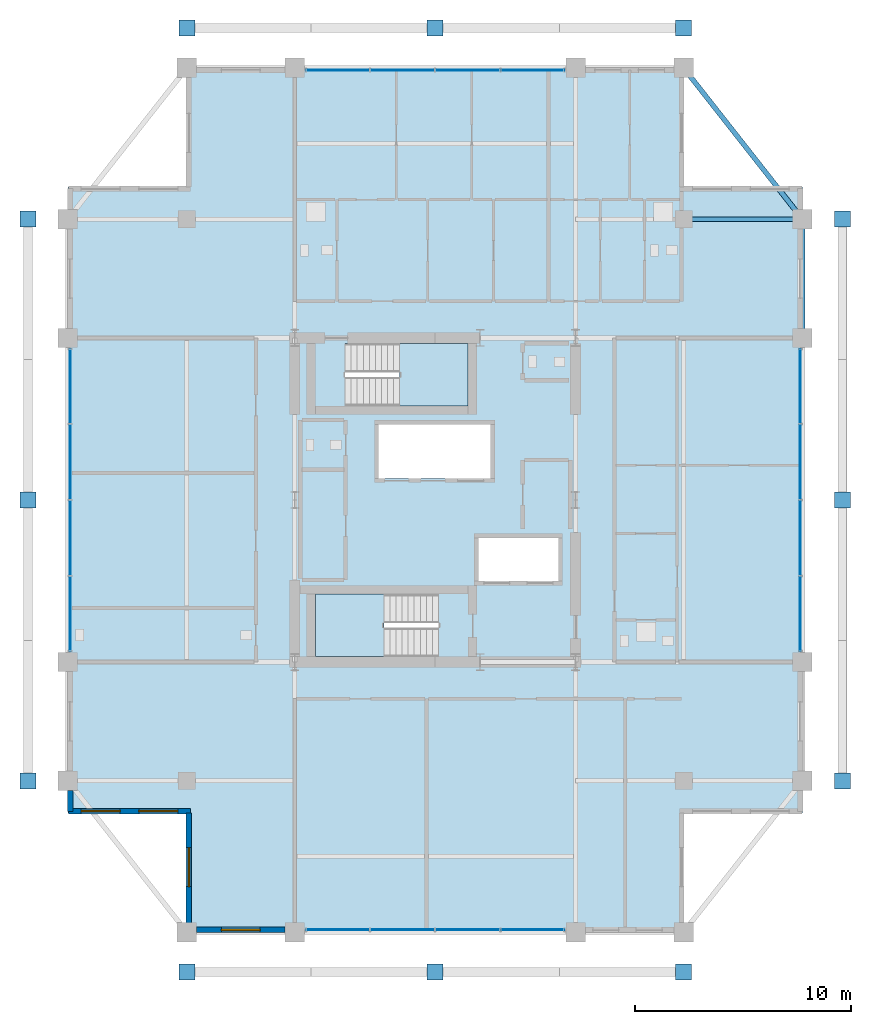
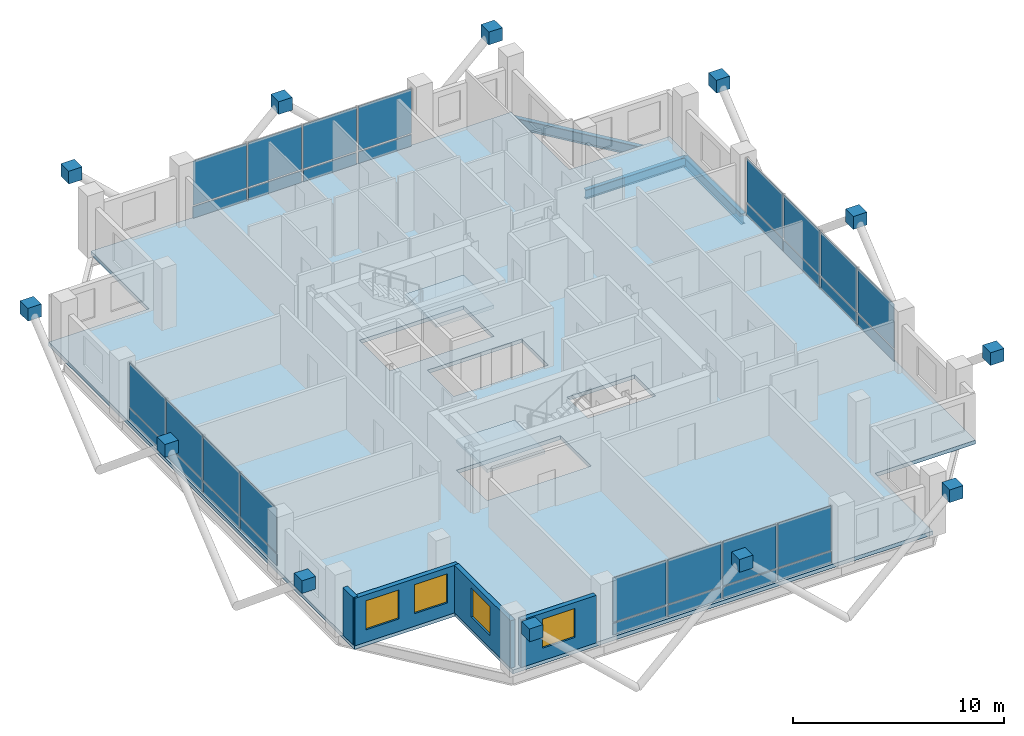
# One storey, part 17 of 23: 44 plates, 4 walls, 4 windows, 3 beams, 3 slabs, 4 openings, 6 elements without a shape of their own.
"""IFC4 building model written with IfcOpenShell, lengths in metres."""

from ifc_helpers import new_model, si_unit, direction, frame, frame_2d, origin, origin_2d, place, context, subcontext, project, spatial, polyline, rectangle, i_section, outline, extrude, material, layer, layer_set, material_profile, profile_set, type_object, element, fill, aggregate, save


model = new_model("IFC4")

# Units and contexts
model_context = context("Model", 3, precision=1e-05, world=origin(), true_north=direction((0.0, 1.0)))
body_context = subcontext(model_context, "Body", "Model", "MODEL_VIEW")
ifc_project = project(units=[si_unit("LENGTHUNIT", "METRE"), si_unit("AREAUNIT", "SQUARE_METRE"), si_unit("VOLUMEUNIT", "CUBIC_METRE"), si_unit("PLANEANGLEUNIT", "RADIAN"), si_unit("MASSUNIT", "GRAM", prefix="KILO")], contexts=[model_context])

# Site, building, storey
site_placement = place(None, origin())
site = spatial("IfcSite", under=ifc_project, at=site_placement, CompositionType="ELEMENT")
building_placement = place(site_placement, origin())
building = spatial("IfcBuilding", under=site, at=building_placement, Name="Barlavira Tower and Art Museum", CompositionType="ELEMENT")
storey_placement = place(building_placement, frame((0.0, 0.0, 279.89990234375)))
storey = spatial("IfcBuildingStorey", under=building, at=storey_placement, Name="L73", CompositionType="ELEMENT", Elevation=279.89990234375)

# Beams
ifc_material_1 = material(Name="Steel S355", Category="steel")
ifc_material_profile_1 = material_profile(ifc_material_1, i_section(OverallWidth=0.22998046875, OverallDepth=0.616943359375, WebThickness=0.01318359375, FlangeThickness=0.022216796875, at=origin_2d()), Name="W610x140.0")
ifc_profile_set_1 = profile_set([ifc_material_profile_1], Name="Steel S355")
beam_type_1 = type_object("IfcBeamType", Name="Upper Shaft Spandrel Edge Beam W610x140 Steel S355", PredefinedType="SPANDREL", material=ifc_profile_set_1)
beam_1_placement = place(storey_placement, frame((17.0, 7.5, -0.5283203125), z_axis=(0.0, 1.0, 0.0), x_axis=(-1.0, 0.0, 0.0)))
element("IfcBeam", 1, at=beam_1_placement, inside=storey, type_object=beam_type_1, Name="L73 Spandrel 7", PredefinedType="SPANDREL", context=body_context, shape_type="SweptSolid", body=[
    extrude(i_section(OverallWidth=0.22998046875, OverallDepth=0.616943359375, WebThickness=0.01318359375, FlangeThickness=0.022216796875, at=origin_2d()), origin(), (0.0, 0.0, 1.0), 5.5),
])
beam_2_placement = place(storey_placement, frame((17.0, 13.0, -0.5283203125), z_axis=(-0.617821551932, 0.786318338822, 0.0), x_axis=(-0.786318338822, -0.617821551932, 0.0)))
element("IfcBeam", 2, at=beam_2_placement, inside=storey, type_object=beam_type_1, Name="L73 Spandrel 8", PredefinedType="SPANDREL", context=body_context, shape_type="SweptSolid", body=[
    extrude(i_section(OverallWidth=0.22998046875, OverallDepth=0.616943359375, WebThickness=0.01318359375, FlangeThickness=0.022216796875, at=origin_2d()), origin(), (0.0, 0.0, 1.0), 8.90234375),
])
ifc_material_profile_2 = material_profile(ifc_material_1, i_section(OverallWidth=0.2109375, OverallDepth=0.5390625, WebThickness=0.01171875, FlangeThickness=0.018798828125, at=origin_2d()), Name="W530x109.0")
ifc_profile_set_2 = profile_set([ifc_material_profile_2], Name="Steel S355")
beam_type_2 = type_object("IfcBeamType", Name="Zone 3-4 Primary Floor Girder W530x109 Steel S355", PredefinedType="BEAM", material=ifc_profile_set_2)
beam_3_placement = place(storey_placement, frame((11.5, 13.0, -0.489501953125), z_axis=(1.0, 0.0, 0.0), x_axis=(0.0, 1.0, 0.0)))
element("IfcBeam", 3, at=beam_3_placement, inside=storey, type_object=beam_type_2, Name="L73 Girder I-N4", PredefinedType="BEAM", context=body_context, shape_type="SweptSolid", body=[
    extrude(i_section(OverallWidth=0.2109375, OverallDepth=0.5390625, WebThickness=0.01171875, FlangeThickness=0.018798828125, at=origin_2d()), origin(), (0.0, 0.0, 1.0), 5.5),
])

# Curtain wall, plates
ifc_material_2 = material(Name="Low-iron coastal laminated glass", Category="glass")
ifc_layer_1 = layer(ifc_material_2, 0.2099609375, Name="Low-iron coastal laminated glass")
ifc_layer_set_1 = layer_set([ifc_layer_1], Name="Low-iron coastal laminated glass")
curtain_wall_type = type_object("IfcCurtainWallType", Name="Pale-Metal Unitised Curtain Wall Zone 4", PredefinedType="NOTDEFINED", material=ifc_layer_set_1)
curtain_wall_1_placement = place(storey_placement, origin())
curtain_wall_1 = element("IfcCurtainWall", 4, at=curtain_wall_1_placement, inside=storey, type_object=curtain_wall_type, Name="L73 Curtain Wall CW4-L73-S-B2", PredefinedType="NOTDEFINED")
ifc_material_3 = material(Name="Pale anodised aluminium", Category="aluminium")
ifc_layer_2 = layer(ifc_material_3, 0.044921875, Name="Pale anodised aluminium")
ifc_layer_set_2 = layer_set([ifc_layer_2], Name="Pale anodised aluminium")
plate_type_1 = type_object("IfcPlateType", Name="Curtain Wall Pale-Metal Spandrel Panel 45", PredefinedType="CURTAIN_PANEL", material=ifc_layer_set_2)
plate_1_placement = place(storey_placement, frame((-4.5224609375, -19.89990234375, 0.0400390625), z_axis=(0.0, 0.0, 1.0), x_axis=(1.0, 0.0, 0.0)))
plate_1 = element("IfcPlate", 5, at=plate_1_placement, type_object=plate_type_1, Name="CW4-L73-S-B2 Spandrel Panel 0", PredefinedType="CURTAIN_PANEL", context=body_context, shape_type="SweptSolid", body=[
    extrude(rectangle(XDim=2.9150390625, YDim=0.044921875, at=origin_2d()), origin(), (0.0, 0.0, 1.0), 0.6640625),
])
plate_2_placement = place(storey_placement, frame((-1.507568359375, -19.89990234375, 0.0400390625), z_axis=(0.0, 0.0, 1.0), x_axis=(1.0, 0.0, 0.0)))
plate_2 = element("IfcPlate", 6, at=plate_2_placement, type_object=plate_type_1, Name="CW4-L73-S-B2 Spandrel Panel 1", PredefinedType="CURTAIN_PANEL", context=body_context, shape_type="SweptSolid", body=[
    extrude(rectangle(XDim=2.9150390625, YDim=0.044921875, at=origin_2d()), origin(), (0.0, 0.0, 1.0), 0.6640625),
])
plate_3_placement = place(storey_placement, frame((1.507568359375, -19.89990234375, 0.0400390625), z_axis=(0.0, 0.0, 1.0), x_axis=(1.0, 0.0, 0.0)))
plate_3 = element("IfcPlate", 7, at=plate_3_placement, type_object=plate_type_1, Name="CW4-L73-S-B2 Spandrel Panel 2", PredefinedType="CURTAIN_PANEL", context=body_context, shape_type="SweptSolid", body=[
    extrude(rectangle(XDim=2.9150390625, YDim=0.044921875, at=origin_2d()), origin(), (0.0, 0.0, 1.0), 0.6640625),
])
plate_4_placement = place(storey_placement, frame((4.5224609375, -19.89990234375, 0.0400390625), z_axis=(0.0, 0.0, 1.0), x_axis=(1.0, 0.0, 0.0)))
plate_4 = element("IfcPlate", 8, at=plate_4_placement, type_object=plate_type_1, Name="CW4-L73-S-B2 Spandrel Panel 3", PredefinedType="CURTAIN_PANEL", context=body_context, shape_type="SweptSolid", body=[
    extrude(rectangle(XDim=2.9150390625, YDim=0.044921875, at=origin_2d()), origin(), (0.0, 0.0, 1.0), 0.6640625),
])

curtain_wall_2_placement = place(storey_placement, origin())
curtain_wall_2 = element("IfcCurtainWall", 9, at=curtain_wall_2_placement, inside=storey, type_object=curtain_wall_type, Name="L73 Curtain Wall CW4-L73-N-B2", PredefinedType="NOTDEFINED")
plate_5_placement = place(storey_placement, frame((4.5224609375, 19.89990234375, 0.0400390625), z_axis=(0.0, 0.0, 1.0), x_axis=(-1.0, 0.0, 0.0)))
plate_5 = element("IfcPlate", 10, at=plate_5_placement, type_object=plate_type_1, Name="CW4-L73-N-B2 Spandrel Panel 0", PredefinedType="CURTAIN_PANEL", context=body_context, shape_type="SweptSolid", body=[
    extrude(rectangle(XDim=2.9150390625, YDim=0.044921875, at=origin_2d()), origin(), (0.0, 0.0, 1.0), 0.6640625),
])
plate_6_placement = place(storey_placement, frame((1.507568359375, 19.89990234375, 0.0400390625), z_axis=(0.0, 0.0, 1.0), x_axis=(-1.0, 0.0, 0.0)))
plate_6 = element("IfcPlate", 11, at=plate_6_placement, type_object=plate_type_1, Name="CW4-L73-N-B2 Spandrel Panel 1", PredefinedType="CURTAIN_PANEL", context=body_context, shape_type="SweptSolid", body=[
    extrude(rectangle(XDim=2.9150390625, YDim=0.044921875, at=origin_2d()), origin(), (0.0, 0.0, 1.0), 0.6640625),
])
plate_7_placement = place(storey_placement, frame((-1.507568359375, 19.89990234375, 0.0400390625), z_axis=(0.0, 0.0, 1.0), x_axis=(-1.0, 0.0, 0.0)))
plate_7 = element("IfcPlate", 12, at=plate_7_placement, type_object=plate_type_1, Name="CW4-L73-N-B2 Spandrel Panel 2", PredefinedType="CURTAIN_PANEL", context=body_context, shape_type="SweptSolid", body=[
    extrude(rectangle(XDim=2.9150390625, YDim=0.044921875, at=origin_2d()), origin(), (0.0, 0.0, 1.0), 0.6640625),
])
plate_8_placement = place(storey_placement, frame((-4.5224609375, 19.89990234375, 0.0400390625), z_axis=(0.0, 0.0, 1.0), x_axis=(-1.0, 0.0, 0.0)))
plate_8 = element("IfcPlate", 13, at=plate_8_placement, type_object=plate_type_1, Name="CW4-L73-N-B2 Spandrel Panel 3", PredefinedType="CURTAIN_PANEL", context=body_context, shape_type="SweptSolid", body=[
    extrude(rectangle(XDim=2.9150390625, YDim=0.044921875, at=origin_2d()), origin(), (0.0, 0.0, 1.0), 0.6640625),
])

curtain_wall_3_placement = place(storey_placement, origin())
curtain_wall_3 = element("IfcCurtainWall", 14, at=curtain_wall_3_placement, inside=storey, type_object=curtain_wall_type, Name="L73 Curtain Wall CW4-L73-W-B3", PredefinedType="NOTDEFINED")
plate_9_placement = place(storey_placement, frame((-16.89990234375, 5.2724609375, 0.0400390625), z_axis=(0.0, 0.0, 1.0), x_axis=(0.0, -1.0, 0.0)))
plate_9 = element("IfcPlate", 15, at=plate_9_placement, type_object=plate_type_1, Name="CW4-L73-W-B3 Spandrel Panel 0", PredefinedType="CURTAIN_PANEL", context=body_context, shape_type="SweptSolid", body=[
    extrude(rectangle(XDim=3.4150390625, YDim=0.044921875, at=origin_2d()), origin(), (0.0, 0.0, 1.0), 0.6640625),
])
plate_10_placement = place(storey_placement, frame((-16.89990234375, 1.757568359375, 0.0400390625), z_axis=(0.0, 0.0, 1.0), x_axis=(0.0, -1.0, 0.0)))
plate_10 = element("IfcPlate", 16, at=plate_10_placement, type_object=plate_type_1, Name="CW4-L73-W-B3 Spandrel Panel 1", PredefinedType="CURTAIN_PANEL", context=body_context, shape_type="SweptSolid", body=[
    extrude(rectangle(XDim=3.4150390625, YDim=0.044921875, at=origin_2d()), origin(), (0.0, 0.0, 1.0), 0.6640625),
])
plate_11_placement = place(storey_placement, frame((-16.89990234375, -1.757568359375, 0.0400390625), z_axis=(0.0, 0.0, 1.0), x_axis=(0.0, -1.0, 0.0)))
plate_11 = element("IfcPlate", 17, at=plate_11_placement, type_object=plate_type_1, Name="CW4-L73-W-B3 Spandrel Panel 2", PredefinedType="CURTAIN_PANEL", context=body_context, shape_type="SweptSolid", body=[
    extrude(rectangle(XDim=3.4150390625, YDim=0.044921875, at=origin_2d()), origin(), (0.0, 0.0, 1.0), 0.6640625),
])
plate_12_placement = place(storey_placement, frame((-16.89990234375, -5.2724609375, 0.0400390625), z_axis=(0.0, 0.0, 1.0), x_axis=(0.0, -1.0, 0.0)))
plate_12 = element("IfcPlate", 18, at=plate_12_placement, type_object=plate_type_1, Name="CW4-L73-W-B3 Spandrel Panel 3", PredefinedType="CURTAIN_PANEL", context=body_context, shape_type="SweptSolid", body=[
    extrude(rectangle(XDim=3.4150390625, YDim=0.044921875, at=origin_2d()), origin(), (0.0, 0.0, 1.0), 0.6640625),
])

curtain_wall_4_placement = place(storey_placement, origin())
curtain_wall_4 = element("IfcCurtainWall", 19, at=curtain_wall_4_placement, inside=storey, type_object=curtain_wall_type, Name="L73 Curtain Wall CW4-L73-E-B3", PredefinedType="NOTDEFINED")
plate_13_placement = place(storey_placement, frame((16.89990234375, -5.2724609375, 0.0400390625), z_axis=(0.0, 0.0, 1.0), x_axis=(0.0, 1.0, 0.0)))
plate_13 = element("IfcPlate", 20, at=plate_13_placement, type_object=plate_type_1, Name="CW4-L73-E-B3 Spandrel Panel 0", PredefinedType="CURTAIN_PANEL", context=body_context, shape_type="SweptSolid", body=[
    extrude(rectangle(XDim=3.4150390625, YDim=0.044921875, at=origin_2d()), origin(), (0.0, 0.0, 1.0), 0.6640625),
])
plate_14_placement = place(storey_placement, frame((16.89990234375, -1.757568359375, 0.0400390625), z_axis=(0.0, 0.0, 1.0), x_axis=(0.0, 1.0, 0.0)))
plate_14 = element("IfcPlate", 21, at=plate_14_placement, type_object=plate_type_1, Name="CW4-L73-E-B3 Spandrel Panel 1", PredefinedType="CURTAIN_PANEL", context=body_context, shape_type="SweptSolid", body=[
    extrude(rectangle(XDim=3.4150390625, YDim=0.044921875, at=origin_2d()), origin(), (0.0, 0.0, 1.0), 0.6640625),
])
plate_15_placement = place(storey_placement, frame((16.89990234375, 1.757568359375, 0.0400390625), z_axis=(0.0, 0.0, 1.0), x_axis=(0.0, 1.0, 0.0)))
plate_15 = element("IfcPlate", 22, at=plate_15_placement, type_object=plate_type_1, Name="CW4-L73-E-B3 Spandrel Panel 2", PredefinedType="CURTAIN_PANEL", context=body_context, shape_type="SweptSolid", body=[
    extrude(rectangle(XDim=3.4150390625, YDim=0.044921875, at=origin_2d()), origin(), (0.0, 0.0, 1.0), 0.6640625),
])
plate_16_placement = place(storey_placement, frame((16.89990234375, 5.2724609375, 0.0400390625), z_axis=(0.0, 0.0, 1.0), x_axis=(0.0, 1.0, 0.0)))
plate_16 = element("IfcPlate", 23, at=plate_16_placement, type_object=plate_type_1, Name="CW4-L73-E-B3 Spandrel Panel 3", PredefinedType="CURTAIN_PANEL", context=body_context, shape_type="SweptSolid", body=[
    extrude(rectangle(XDim=3.4150390625, YDim=0.044921875, at=origin_2d()), origin(), (0.0, 0.0, 1.0), 0.6640625),
])

# Plate
ifc_layer_3 = layer(ifc_material_2, 0.028076171875, Name="Low-iron coastal laminated glass")
ifc_layer_set_3 = layer_set([ifc_layer_3], Name="Low-iron coastal laminated glass")
plate_type_2 = type_object("IfcPlateType", Name="Curtain Wall Vision Glazing Panel 28", PredefinedType="CURTAIN_PANEL", material=ifc_layer_set_3)
plate_17_placement = place(storey_placement, frame((-4.5224609375, -19.89990234375, 0.7841796875), z_axis=(0.0, 0.0, 1.0), x_axis=(1.0, 0.0, 0.0)))
plate_17 = element("IfcPlate", 24, at=plate_17_placement, type_object=plate_type_2, Name="CW4-L73-S-B2 Vision Glass Panel 0", PredefinedType="CURTAIN_PANEL", context=body_context, shape_type="SweptSolid", body=[
    extrude(rectangle(XDim=2.9150390625, YDim=0.028076171875, at=origin_2d()), origin(), (0.0, 0.0, 1.0), 2.555908203125),
])

plate_18_placement = place(storey_placement, frame((-1.507568359375, -19.89990234375, 0.7841796875), z_axis=(0.0, 0.0, 1.0), x_axis=(1.0, 0.0, 0.0)))
plate_18 = element("IfcPlate", 25, at=plate_18_placement, type_object=plate_type_2, Name="CW4-L73-S-B2 Vision Glass Panel 1", PredefinedType="CURTAIN_PANEL", context=body_context, shape_type="SweptSolid", body=[
    extrude(rectangle(XDim=2.9150390625, YDim=0.028076171875, at=origin_2d()), origin(), (0.0, 0.0, 1.0), 2.555908203125),
])

plate_19_placement = place(storey_placement, frame((1.507568359375, -19.89990234375, 0.7841796875), z_axis=(0.0, 0.0, 1.0), x_axis=(1.0, 0.0, 0.0)))
plate_19 = element("IfcPlate", 26, at=plate_19_placement, type_object=plate_type_2, Name="CW4-L73-S-B2 Vision Glass Panel 2", PredefinedType="CURTAIN_PANEL", context=body_context, shape_type="SweptSolid", body=[
    extrude(rectangle(XDim=2.9150390625, YDim=0.028076171875, at=origin_2d()), origin(), (0.0, 0.0, 1.0), 2.555908203125),
])

plate_20_placement = place(storey_placement, frame((4.5224609375, -19.89990234375, 0.7841796875), z_axis=(0.0, 0.0, 1.0), x_axis=(1.0, 0.0, 0.0)))
plate_20 = element("IfcPlate", 27, at=plate_20_placement, type_object=plate_type_2, Name="CW4-L73-S-B2 Vision Glass Panel 3", PredefinedType="CURTAIN_PANEL", context=body_context, shape_type="SweptSolid", body=[
    extrude(rectangle(XDim=2.9150390625, YDim=0.028076171875, at=origin_2d()), origin(), (0.0, 0.0, 1.0), 2.555908203125),
])

aggregate(curtain_wall_1, [plate_1, plate_17, plate_2, plate_18, plate_3, plate_19, plate_4, plate_20])

plate_21_placement = place(storey_placement, frame((4.5224609375, 19.89990234375, 0.7841796875), z_axis=(0.0, 0.0, 1.0), x_axis=(-1.0, 0.0, 0.0)))
plate_21 = element("IfcPlate", 28, at=plate_21_placement, type_object=plate_type_2, Name="CW4-L73-N-B2 Vision Glass Panel 0", PredefinedType="CURTAIN_PANEL", context=body_context, shape_type="SweptSolid", body=[
    extrude(rectangle(XDim=2.9150390625, YDim=0.028076171875, at=origin_2d()), origin(), (0.0, 0.0, 1.0), 2.555908203125),
])

plate_22_placement = place(storey_placement, frame((1.507568359375, 19.89990234375, 0.7841796875), z_axis=(0.0, 0.0, 1.0), x_axis=(-1.0, 0.0, 0.0)))
plate_22 = element("IfcPlate", 29, at=plate_22_placement, type_object=plate_type_2, Name="CW4-L73-N-B2 Vision Glass Panel 1", PredefinedType="CURTAIN_PANEL", context=body_context, shape_type="SweptSolid", body=[
    extrude(rectangle(XDim=2.9150390625, YDim=0.028076171875, at=origin_2d()), origin(), (0.0, 0.0, 1.0), 2.555908203125),
])

plate_23_placement = place(storey_placement, frame((-1.507568359375, 19.89990234375, 0.7841796875), z_axis=(0.0, 0.0, 1.0), x_axis=(-1.0, 0.0, 0.0)))
plate_23 = element("IfcPlate", 30, at=plate_23_placement, type_object=plate_type_2, Name="CW4-L73-N-B2 Vision Glass Panel 2", PredefinedType="CURTAIN_PANEL", context=body_context, shape_type="SweptSolid", body=[
    extrude(rectangle(XDim=2.9150390625, YDim=0.028076171875, at=origin_2d()), origin(), (0.0, 0.0, 1.0), 2.555908203125),
])

plate_24_placement = place(storey_placement, frame((-4.5224609375, 19.89990234375, 0.7841796875), z_axis=(0.0, 0.0, 1.0), x_axis=(-1.0, 0.0, 0.0)))
plate_24 = element("IfcPlate", 31, at=plate_24_placement, type_object=plate_type_2, Name="CW4-L73-N-B2 Vision Glass Panel 3", PredefinedType="CURTAIN_PANEL", context=body_context, shape_type="SweptSolid", body=[
    extrude(rectangle(XDim=2.9150390625, YDim=0.028076171875, at=origin_2d()), origin(), (0.0, 0.0, 1.0), 2.555908203125),
])

aggregate(curtain_wall_2, [plate_5, plate_21, plate_6, plate_22, plate_7, plate_23, plate_8, plate_24])

plate_25_placement = place(storey_placement, frame((-16.89990234375, 5.2724609375, 0.7841796875), z_axis=(0.0, 0.0, 1.0), x_axis=(0.0, -1.0, 0.0)))
plate_25 = element("IfcPlate", 32, at=plate_25_placement, type_object=plate_type_2, Name="CW4-L73-W-B3 Vision Glass Panel 0", PredefinedType="CURTAIN_PANEL", context=body_context, shape_type="SweptSolid", body=[
    extrude(rectangle(XDim=3.4150390625, YDim=0.028076171875, at=origin_2d()), origin(), (0.0, 0.0, 1.0), 2.555908203125),
])

plate_26_placement = place(storey_placement, frame((-16.89990234375, 1.757568359375, 0.7841796875), z_axis=(0.0, 0.0, 1.0), x_axis=(0.0, -1.0, 0.0)))
plate_26 = element("IfcPlate", 33, at=plate_26_placement, type_object=plate_type_2, Name="CW4-L73-W-B3 Vision Glass Panel 1", PredefinedType="CURTAIN_PANEL", context=body_context, shape_type="SweptSolid", body=[
    extrude(rectangle(XDim=3.4150390625, YDim=0.028076171875, at=origin_2d()), origin(), (0.0, 0.0, 1.0), 2.555908203125),
])

plate_27_placement = place(storey_placement, frame((-16.89990234375, -1.757568359375, 0.7841796875), z_axis=(0.0, 0.0, 1.0), x_axis=(0.0, -1.0, 0.0)))
plate_27 = element("IfcPlate", 34, at=plate_27_placement, type_object=plate_type_2, Name="CW4-L73-W-B3 Vision Glass Panel 2", PredefinedType="CURTAIN_PANEL", context=body_context, shape_type="SweptSolid", body=[
    extrude(rectangle(XDim=3.4150390625, YDim=0.028076171875, at=origin_2d()), origin(), (0.0, 0.0, 1.0), 2.555908203125),
])

plate_28_placement = place(storey_placement, frame((-16.89990234375, -5.2724609375, 0.7841796875), z_axis=(0.0, 0.0, 1.0), x_axis=(0.0, -1.0, 0.0)))
plate_28 = element("IfcPlate", 35, at=plate_28_placement, type_object=plate_type_2, Name="CW4-L73-W-B3 Vision Glass Panel 3", PredefinedType="CURTAIN_PANEL", context=body_context, shape_type="SweptSolid", body=[
    extrude(rectangle(XDim=3.4150390625, YDim=0.028076171875, at=origin_2d()), origin(), (0.0, 0.0, 1.0), 2.555908203125),
])

aggregate(curtain_wall_3, [plate_9, plate_25, plate_10, plate_26, plate_11, plate_27, plate_12, plate_28])

plate_29_placement = place(storey_placement, frame((16.89990234375, -5.2724609375, 0.7841796875), z_axis=(0.0, 0.0, 1.0), x_axis=(0.0, 1.0, 0.0)))
plate_29 = element("IfcPlate", 36, at=plate_29_placement, type_object=plate_type_2, Name="CW4-L73-E-B3 Vision Glass Panel 0", PredefinedType="CURTAIN_PANEL", context=body_context, shape_type="SweptSolid", body=[
    extrude(rectangle(XDim=3.4150390625, YDim=0.028076171875, at=origin_2d()), origin(), (0.0, 0.0, 1.0), 2.555908203125),
])

plate_30_placement = place(storey_placement, frame((16.89990234375, -1.757568359375, 0.7841796875), z_axis=(0.0, 0.0, 1.0), x_axis=(0.0, 1.0, 0.0)))
plate_30 = element("IfcPlate", 37, at=plate_30_placement, type_object=plate_type_2, Name="CW4-L73-E-B3 Vision Glass Panel 1", PredefinedType="CURTAIN_PANEL", context=body_context, shape_type="SweptSolid", body=[
    extrude(rectangle(XDim=3.4150390625, YDim=0.028076171875, at=origin_2d()), origin(), (0.0, 0.0, 1.0), 2.555908203125),
])

plate_31_placement = place(storey_placement, frame((16.89990234375, 1.757568359375, 0.7841796875), z_axis=(0.0, 0.0, 1.0), x_axis=(0.0, 1.0, 0.0)))
plate_31 = element("IfcPlate", 38, at=plate_31_placement, type_object=plate_type_2, Name="CW4-L73-E-B3 Vision Glass Panel 2", PredefinedType="CURTAIN_PANEL", context=body_context, shape_type="SweptSolid", body=[
    extrude(rectangle(XDim=3.4150390625, YDim=0.028076171875, at=origin_2d()), origin(), (0.0, 0.0, 1.0), 2.555908203125),
])

plate_32_placement = place(storey_placement, frame((16.89990234375, 5.2724609375, 0.7841796875), z_axis=(0.0, 0.0, 1.0), x_axis=(0.0, 1.0, 0.0)))
plate_32 = element("IfcPlate", 39, at=plate_32_placement, type_object=plate_type_2, Name="CW4-L73-E-B3 Vision Glass Panel 3", PredefinedType="CURTAIN_PANEL", context=body_context, shape_type="SweptSolid", body=[
    extrude(rectangle(XDim=3.4150390625, YDim=0.028076171875, at=origin_2d()), origin(), (0.0, 0.0, 1.0), 2.555908203125),
])

aggregate(curtain_wall_4, [plate_13, plate_29, plate_14, plate_30, plate_15, plate_31, plate_16, plate_32])

# Plates
ifc_layer_4 = layer(ifc_material_1, 0.739990234375, Name="Steel S355")
ifc_layer_set_4 = layer_set([ifc_layer_4], Name="Steel S355")
plate_type_3 = type_object("IfcPlateType", Name="Exoskeleton Solid Steel Node Cap Plate Assembly Type 4 Steel S355", PredefinedType="USERDEFINED", material=ifc_layer_set_4)
for number, where, z_axis, x_axis, name in (
    (40, (-11.5, -21.85009765625, 3.10986328125), (0.0, 0.0, 1.0), (1.0, 0.0, 0.0), "Exoskeleton Node S ND-L73-0797"),
    (41, (0.0, -21.85009765625, 3.10986328125), (0.0, 0.0, 1.0), (1.0, 0.0, 0.0), "Exoskeleton Node S ND-L73-0798"),
    (42, (11.5, -21.85009765625, 3.10986328125), (0.0, 0.0, 1.0), (1.0, 0.0, 0.0), "Exoskeleton Node S ND-L73-0799"),
    (43, (-11.5, 21.85009765625, 3.10986328125), (0.0, 0.0, 1.0), (1.0, 0.0, 0.0), "Exoskeleton Node N ND-L73-0805"),
    (44, (0.0, 21.85009765625, 3.10986328125), (0.0, 0.0, 1.0), (1.0, 0.0, 0.0), "Exoskeleton Node N ND-L73-0806"),
    (45, (11.5, 21.85009765625, 3.10986328125), (0.0, 0.0, 1.0), (1.0, 0.0, 0.0), "Exoskeleton Node N ND-L73-0807"),
    (46, (-18.85009765625, -13.0, 3.10986328125), (0.0, 0.0, 1.0), (1.0, 0.0, 0.0), "Exoskeleton Node W ND-L73-0813"),
    (47, (-18.85009765625, 0.0, 3.10986328125), (0.0, 0.0, 1.0), (1.0, 0.0, 0.0), "Exoskeleton Node W ND-L73-0814"),
    (48, (-18.85009765625, 13.0, 3.10986328125), (0.0, 0.0, 1.0), (1.0, 0.0, 0.0), "Exoskeleton Node W ND-L73-0815"),
    (49, (18.85009765625, -13.0, 3.10986328125), (0.0, 0.0, 1.0), (1.0, 0.0, 0.0), "Exoskeleton Node E ND-L73-0821"),
    (50, (18.85009765625, 0.0, 3.10986328125), (0.0, 0.0, 1.0), (1.0, 0.0, 0.0), "Exoskeleton Node E ND-L73-0822"),
    (51, (18.85009765625, 13.0, 3.10986328125), (0.0, 0.0, 1.0), (1.0, 0.0, 0.0), "Exoskeleton Node E ND-L73-0823"),
):
    element("IfcPlate", number, at=place(storey_placement, frame(where, z_axis=z_axis, x_axis=x_axis)), inside=storey, type_object=plate_type_3, Name=name, ObjectType="FLANGE_PLATE", PredefinedType="USERDEFINED", context=body_context, shape_type="SweptSolid", body=[
        extrude(rectangle(XDim=0.739990234375, YDim=0.739990234375, at=origin_2d()), origin(), (0.0, 0.0, 1.0), 0.739990234375),
    ])

# Stair, slab
ifc_material_4 = material(Name="Concrete C45", Category="concrete")
stair_type_1 = type_object("IfcStairType", Name="Tower North Dog-Leg Exit Stair Assembly Concrete C45", PredefinedType="TWO_QUARTER_TURN_STAIR", material=ifc_material_4)
stair_1_placement = place(storey_placement, origin())
stair_1 = element("IfcStair", 52, at=stair_1_placement, inside=storey, type_object=stair_type_1, Name="L73 Tower North Exit Stair ST-T2", PredefinedType="TWO_QUARTER_TURN_STAIR")
ifc_layer_5 = layer(ifc_material_4, 0.199951171875, Name="Concrete C45")
ifc_layer_set_5 = layer_set([ifc_layer_5], Name="Concrete C45")
slab_type_1 = type_object("IfcSlabType", Name="Tower North Dog-Leg Exit Stair Half-Landing Slab 200 Concrete C45", PredefinedType="LANDING", material=ifc_layer_set_5)
slab_1_placement = place(storey_placement, frame((0.0, 0.0, 1.60009765625)))
slab_1 = element("IfcSlab", 53, at=slab_1_placement, type_object=slab_type_1, Name="ST-T2 landing 1", PredefinedType="LANDING", context=body_context, shape_type="SweptSolid", body=[
    extrude(outline(polyline([(-1.64990234375, 4.35009765625), (1.530029296875, 4.35009765625), (1.530029296875, 7.25), (-1.64990234375, 7.25), (-1.64990234375, 4.35009765625)])), origin(), (0.0, 0.0, 1.0), 0.199951171875),
])
aggregate(stair_1, [slab_1])

stair_type_2 = type_object("IfcStairType", Name="Tower South Dog-Leg Exit Stair Assembly Concrete C45", PredefinedType="TWO_QUARTER_TURN_STAIR", material=ifc_material_4)
stair_2_placement = place(storey_placement, origin())
stair_2 = element("IfcStair", 54, at=stair_2_placement, inside=storey, type_object=stair_type_2, Name="L73 Tower South Exit Stair ST-T1", PredefinedType="TWO_QUARTER_TURN_STAIR")
ifc_layer_6 = layer(ifc_material_4, 0.199951171875, Name="Concrete C45")
ifc_layer_set_6 = layer_set([ifc_layer_6], Name="Concrete C45")
slab_type_2 = type_object("IfcSlabType", Name="Tower South Dog-Leg Exit Stair Half-Landing Slab 200 Concrete C45", PredefinedType="LANDING", material=ifc_layer_set_6)
slab_2_placement = place(storey_placement, frame((0.0, 0.0, 1.60009765625)))
slab_2 = element("IfcSlab", 55, at=slab_2_placement, type_object=slab_type_2, Name="ST-T1 landing 1", PredefinedType="LANDING", context=body_context, shape_type="SweptSolid", body=[
    extrude(outline(polyline([(-2.3701171875, -4.35009765625), (-5.550048828125, -4.35009765625), (-5.550048828125, -7.25), (-2.3701171875, -7.25), (-2.3701171875, -4.35009765625)])), origin(), (0.0, 0.0, 1.0), 0.199951171875),
])
aggregate(stair_2, [slab_2])

# Slab
ifc_material_5 = material(Name="Concrete C50", Category="concrete")
ifc_layer_7 = layer(ifc_material_5, 0.18994140625, Name="Concrete C50")
ifc_layer_set_7 = layer_set([ifc_layer_7], Name="Concrete C50")
slab_type_3 = type_object("IfcSlabType", Name="Zone 4 Residential Composite Slab 190 Concrete C50", PredefinedType="FLOOR", material=ifc_layer_set_7)
slab_3_placement = place(storey_placement, frame((0.0, 0.0, -0.219970703125)))
element("IfcSlab", 56, at=slab_3_placement, inside=storey, type_object=slab_type_3, Name="L73 Tower Floor Slab", PredefinedType="FLOOR", context=body_context, shape_type="SweptSolid", body=[
    extrude(outline(polyline([(-11.5, -20.0), (11.5, -20.0), (11.5, -14.5), (17.0, -14.5), (17.0, 14.5), (11.5, 14.5), (11.5, 20.0), (-11.5, 20.0), (-11.5, 14.5), (-17.0, 14.5), (-17.0, -14.5), (-11.5, -14.5), (-11.5, -20.0)]), holes=[polyline([(0.14990234375, -4.35009765625), (-5.550048828125, -4.35009765625), (-5.550048828125, -7.25), (0.14990234375, -7.25), (0.14990234375, -4.35009765625)]), polyline([(-4.169921875, 4.35009765625), (1.530029296875, 4.35009765625), (1.530029296875, 7.25), (-4.169921875, 7.25), (-4.169921875, 4.35009765625)]), polyline([(-2.6201171875, 1.0), (2.56005859375, 1.0), (2.56005859375, 3.5), (-2.6201171875, 3.5), (-2.6201171875, 1.0)]), polyline([(2.0, -3.75), (5.699951171875, -3.75), (5.699951171875, -1.75), (2.0, -1.75), (2.0, -3.75)])]), origin(), (0.0, 0.0, 1.0), 0.219970703125),
])

# Wall, opening, window
ifc_material_6 = material(Name="Precast concrete C40", Category="concrete")
ifc_layer_8 = layer(ifc_material_6, 0.25, Name="Precast concrete C40")
ifc_layer_set_8 = layer_set([ifc_layer_8], Name="Precast concrete C40")
wall_type = type_object("IfcWallType", Name="Notched Corner Spandrel Wall 250 Precast Concrete C40", PredefinedType="SOLIDWALL", material=ifc_layer_set_8)
wall_1_placement = place(storey_placement, frame((-11.054931640625, -19.89990234375, 0.0), z_axis=(0.0, 0.0, 1.0), x_axis=(1.0, 0.0, 0.0)))
wall_1 = element("IfcWall", 57, at=wall_1_placement, inside=storey, type_object=wall_type, Name="L73 Coastal Facade Pier Wall CW4-L73-S-1", PredefinedType="SOLIDWALL", context=body_context, shape_type="SweptSolid", body=[
    extrude(rectangle(XDim=4.10986328125, YDim=0.25, at=frame_2d((2.054931640625, 0.0))), origin(), (0.0, 0.0, 1.0), 2.748046875),
])
opening_1_placement = place(wall_1_placement, frame((1.155029296875, 0.0, 0.719970703125)))
opening_1 = element("IfcOpeningElement", 58, at=opening_1_placement, cuts=wall_1, Name="Opening WN-01", PredefinedType="OPENING", context=body_context, shape_type="SweptSolid", body=[
    extrude(rectangle(XDim=1.800048828125, YDim=1.679931640625, at=frame_2d((0.89990234375, 0.83984375))), frame((0.0, 0.135009765625, 0.0), z_axis=(0.0, -1.0, 0.0), x_axis=(1.0, 0.0, 0.0)), (0.0, 0.0, 1.0), 0.27001953125),
])
window_type = type_object("IfcWindowType", Name="Recessed Notch Corner Punch Window 1800x1680", PartitioningType="SINGLE_PANEL", PredefinedType="WINDOW", material=ifc_material_2)
window_1_placement = place(opening_1_placement, origin())
window_1 = element("IfcWindow", 59, at=window_1_placement, inside=storey, type_object=window_type, Name="L73 Punched Facade Window EWP-CW4-L73-S-1-1", OverallHeight=1.679931640625, OverallWidth=1.800048828125, PartitioningType="SINGLE_PANEL", PredefinedType="WINDOW", context=body_context, shape_type="SweptSolid", body=[
    extrude(rectangle(XDim=1.800048828125, YDim=1.679931640625, at=frame_2d((0.89990234375, 0.83984375))), frame((0.0, 0.030029296875, 0.0), z_axis=(0.0, -1.0, 0.0), x_axis=(1.0, 0.0, 0.0)), (0.0, 0.0, 1.0), 0.06005859375),
])
fill(opening_1, window_1)

# Wall
wall_2_placement = place(storey_placement, frame((-16.89990234375, -13.445068359375, 0.0), z_axis=(0.0, 0.0, 1.0), x_axis=(0.0, -1.0, 0.0)))
element("IfcWall", 60, at=wall_2_placement, inside=storey, type_object=wall_type, Name="L73 Coastal Facade Pier Wall CW4-L73-W-5", PredefinedType="SOLIDWALL", context=body_context, shape_type="SweptSolid", body=[
    extrude(rectangle(XDim=0.97998046875, YDim=0.25, at=frame_2d((0.489990234375, 0.0))), origin(), (0.0, 0.0, 1.0), 2.748046875),
])

# Wall, openings, windows
wall_3_placement = place(storey_placement, frame((-16.97998046875, -14.39990234375, 0.0), z_axis=(0.0, 0.0, 1.0), x_axis=(1.0, 0.0, 0.0)))
wall_3 = element("IfcWall", 61, at=wall_3_placement, inside=storey, type_object=wall_type, Name="L73 Notch Corner Wall SW1", PredefinedType="SOLIDWALL", context=body_context, shape_type="SweptSolid", body=[
    extrude(rectangle(XDim=5.659912109375, YDim=0.25, at=frame_2d((2.830078125, 0.0))), origin(), (0.0, 0.0, 1.0), 2.748046875),
])
opening_2_placement = place(wall_3_placement, frame((0.594970703125, 0.0, 0.719970703125)))
opening_2 = element("IfcOpeningElement", 62, at=opening_2_placement, cuts=wall_3, Name="Opening WN-01", PredefinedType="OPENING", context=body_context, shape_type="SweptSolid", body=[
    extrude(rectangle(XDim=1.800048828125, YDim=1.679931640625, at=frame_2d((0.89990234375, 0.83984375))), frame((0.0, 0.135009765625, 0.0), z_axis=(0.0, -1.0, 0.0), x_axis=(1.0, 0.0, 0.0)), (0.0, 0.0, 1.0), 0.27001953125),
])
opening_3_placement = place(wall_3_placement, frame((3.264892578125, 0.0, 0.719970703125)))
opening_3 = element("IfcOpeningElement", 63, at=opening_3_placement, cuts=wall_3, Name="Opening WN-01", PredefinedType="OPENING", context=body_context, shape_type="SweptSolid", body=[
    extrude(rectangle(XDim=1.800048828125, YDim=1.679931640625, at=frame_2d((0.89990234375, 0.83984375))), frame((0.0, 0.135009765625, 0.0), z_axis=(0.0, -1.0, 0.0), x_axis=(1.0, 0.0, 0.0)), (0.0, 0.0, 1.0), 0.27001953125),
])
window_2_placement = place(opening_2_placement, origin())
window_2 = element("IfcWindow", 64, at=window_2_placement, inside=storey, type_object=window_type, Name="L73 Punched Facade Window EW-NTC-L73-SW1-1", OverallHeight=1.679931640625, OverallWidth=1.800048828125, PartitioningType="SINGLE_PANEL", PredefinedType="WINDOW", context=body_context, shape_type="SweptSolid", body=[
    extrude(rectangle(XDim=1.800048828125, YDim=1.679931640625, at=frame_2d((0.89990234375, 0.83984375))), frame((0.0, 0.030029296875, 0.0), z_axis=(0.0, -1.0, 0.0), x_axis=(1.0, 0.0, 0.0)), (0.0, 0.0, 1.0), 0.06005859375),
])
fill(opening_2, window_2)
window_3_placement = place(opening_3_placement, origin())
window_3 = element("IfcWindow", 65, at=window_3_placement, inside=storey, type_object=window_type, Name="L73 Punched Facade Window EW-NTC-L73-SW1-2", OverallHeight=1.679931640625, OverallWidth=1.800048828125, PartitioningType="SINGLE_PANEL", PredefinedType="WINDOW", context=body_context, shape_type="SweptSolid", body=[
    extrude(rectangle(XDim=1.800048828125, YDim=1.679931640625, at=frame_2d((0.89990234375, 0.83984375))), frame((0.0, 0.030029296875, 0.0), z_axis=(0.0, -1.0, 0.0), x_axis=(1.0, 0.0, 0.0)), (0.0, 0.0, 1.0), 0.06005859375),
])
fill(opening_3, window_3)

# Wall, opening, window
wall_4_placement = place(storey_placement, frame((-11.39990234375, -14.47998046875, 0.0), z_axis=(0.0, 0.0, 1.0), x_axis=(0.0, -1.0, 0.0)))
wall_4 = element("IfcWall", 66, at=wall_4_placement, inside=storey, type_object=wall_type, Name="L73 Notch Corner Wall SW2", PredefinedType="SOLIDWALL", context=body_context, shape_type="SweptSolid", body=[
    extrude(rectangle(XDim=5.340087890625, YDim=0.25, at=frame_2d((2.669921875, 0.0))), origin(), (0.0, 0.0, 1.0), 2.748046875),
])
opening_4_placement = place(wall_4_placement, frame((1.614990234375, 0.0, 0.719970703125)))
opening_4 = element("IfcOpeningElement", 67, at=opening_4_placement, cuts=wall_4, Name="Opening WN-01", PredefinedType="OPENING", context=body_context, shape_type="SweptSolid", body=[
    extrude(rectangle(XDim=1.800048828125, YDim=1.679931640625, at=frame_2d((0.89990234375, 0.83984375))), frame((0.0, 0.135009765625, 0.0), z_axis=(0.0, -1.0, 0.0), x_axis=(1.0, 0.0, 0.0)), (0.0, 0.0, 1.0), 0.27001953125),
])
window_4_placement = place(opening_4_placement, origin())
window_4 = element("IfcWindow", 68, at=window_4_placement, inside=storey, type_object=window_type, Name="L73 Punched Facade Window EW-NTC-L73-SW2-1", OverallHeight=1.679931640625, OverallWidth=1.800048828125, PartitioningType="SINGLE_PANEL", PredefinedType="WINDOW", context=body_context, shape_type="SweptSolid", body=[
    extrude(rectangle(XDim=1.800048828125, YDim=1.679931640625, at=frame_2d((0.89990234375, 0.83984375))), frame((0.0, 0.030029296875, 0.0), z_axis=(0.0, -1.0, 0.0), x_axis=(1.0, 0.0, 0.0)), (0.0, 0.0, 1.0), 0.06005859375),
])
fill(opening_4, window_4)

save(model, "model.ifc")
